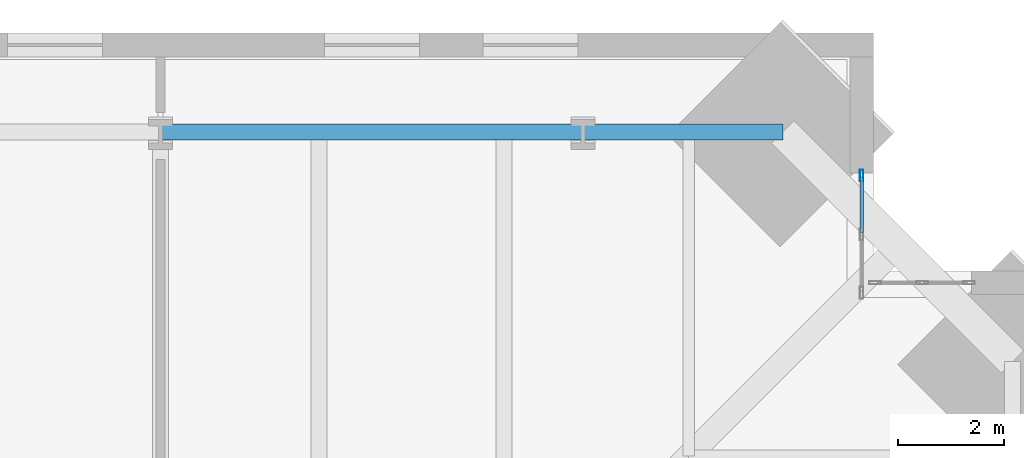
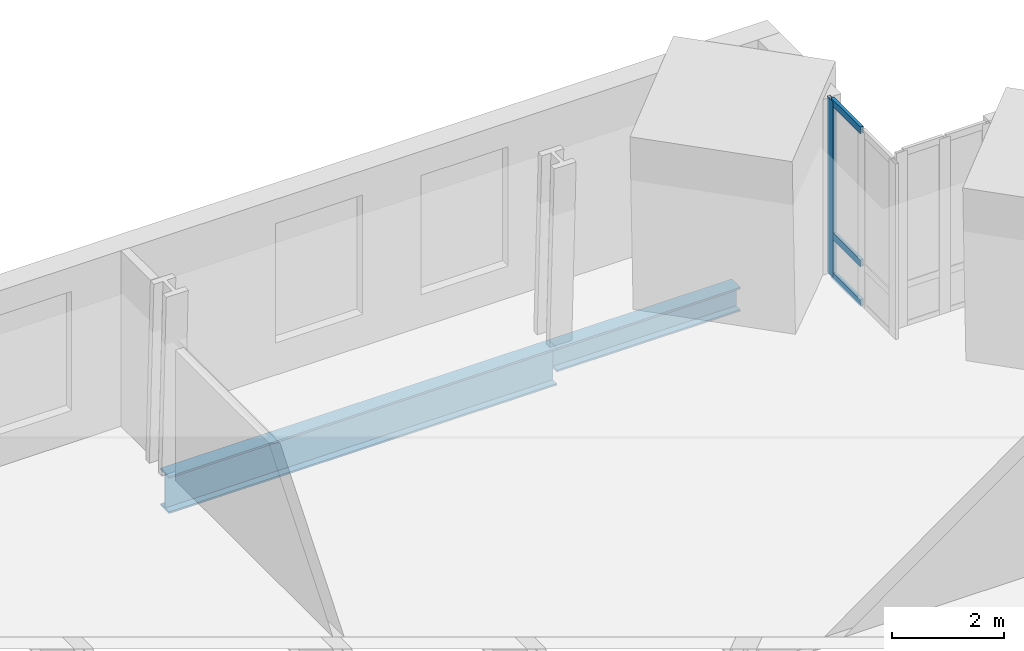
# One storey, part 11 of 18: 4 members, 2 beams, 1 element without a shape of its own.
"""IFC4 building model written with IfcOpenShell, lengths in metres."""

from ifc_helpers import new_model, si_unit, direction, frame, origin, origin_2d, place, context, subcontext, project, spatial, hollow_rectangle, i_section, extrude, material, material_profile, profile_set, type_object, element, aggregate, save


model = new_model("IFC4")

# Units and contexts
model_context = context("Model", 3, precision=1e-05, world=origin(), true_north=direction((0.0, 1.0)))
body_context = subcontext(model_context, "Body", "Model", "MODEL_VIEW")
ifc_project = project(units=[si_unit("LENGTHUNIT", "METRE"), si_unit("AREAUNIT", "SQUARE_METRE"), si_unit("VOLUMEUNIT", "CUBIC_METRE"), si_unit("PLANEANGLEUNIT", "RADIAN"), si_unit("MASSUNIT", "GRAM", prefix="KILO")], contexts=[model_context])

# Site, building, storey
site_placement = place(None, origin())
site = spatial("IfcSite", under=ifc_project, at=site_placement, CompositionType="ELEMENT")
building_placement = place(site_placement, origin())
building = spatial("IfcBuilding", under=site, at=building_placement, Name="Peilmerk Tower", CompositionType="ELEMENT")
storey_placement = place(building_placement, frame((0.0, 0.0, 167.800048828125)))
storey = spatial("IfcBuildingStorey", under=building, at=storey_placement, Name="L35", CompositionType="ELEMENT", Elevation=167.800048828125)

# Beams
ifc_material_1 = material(Name="Steel S355", Category="steel")
ifc_material_profile_1 = material_profile(ifc_material_1, i_section(OverallWidth=0.302978515625, OverallDepth=0.81396484375, WebThickness=0.02099609375, FlangeThickness=0.0400390625, at=origin_2d()), Name="HEM 800")
ifc_profile_set_1 = profile_set([ifc_material_profile_1], Name="Steel S355")
beam_type_1 = type_object("IfcBeamType", Name="B15 HEM 800 edge beam", PredefinedType="SPANDREL", material=ifc_profile_set_1)
beam_1_placement = place(storey_placement, frame((16.0, 24.130615234375, -0.5771484375), z_axis=(-1.0, 0.0, 0.0), x_axis=(0.0, -1.0, 0.0)))
element("IfcBeam", 1, at=beam_1_placement, inside=storey, type_object=beam_type_1, Name="Edge beam L35", PredefinedType="SPANDREL", context=body_context, shape_type="SweptSolid", body=[
    extrude(i_section(OverallWidth=0.302978515625, OverallDepth=0.81396484375, WebThickness=0.02099609375, FlangeThickness=0.0400390625, at=origin_2d()), origin(), (0.0, 0.0, 1.0), 8.0),
])
ifc_material_profile_2 = material_profile(ifc_material_1, i_section(OverallWidth=0.305908203125, OverallDepth=0.52392578125, WebThickness=0.02099609375, FlangeThickness=0.0400390625, at=origin_2d()), Name="HEM 500")
ifc_profile_set_2 = profile_set([ifc_material_profile_2], Name="Steel S355")
beam_type_2 = type_object("IfcBeamType", Name="B33 HEM 500 edge beam", PredefinedType="SPANDREL", material=ifc_profile_set_2)
beam_2_placement = place(storey_placement, frame((19.78076171875, 24.130615234375, -0.43212890625), z_axis=(-1.0, 0.0, 0.0), x_axis=(0.0, -1.0, 0.0)))
element("IfcBeam", 2, at=beam_2_placement, inside=storey, type_object=beam_type_2, Name="Edge beam L35", PredefinedType="SPANDREL", context=body_context, shape_type="SweptSolid", body=[
    extrude(i_section(OverallWidth=0.305908203125, OverallDepth=0.52392578125, WebThickness=0.02099609375, FlangeThickness=0.0400390625, at=origin_2d()), origin(), (0.0, 0.0, 1.0), 3.78076171875),
])

# Curtain wall, members
ifc_material_2 = material(Name="Aluminium stick curtain wall", Category="aluminium")
curtain_wall_type = type_object("IfcCurtainWallType", Name="CW3 stick curtain wall, 2250 module", PredefinedType="NOTDEFINED", material=ifc_material_2)
curtain_wall_placement = place(storey_placement, origin())
curtain_wall = element("IfcCurtainWall", 3, at=curtain_wall_placement, inside=storey, type_object=curtain_wall_type, Name="Curtain wall CW3 NEA L35", PredefinedType="NOTDEFINED")
ifc_material_3 = material(Name="Aluminium EN AW-6063 T6", Category="aluminium")
ifc_material_profile_3 = material_profile(ifc_material_3, hollow_rectangle(XDim=0.06494140625, YDim=0.22509765625, WallThickness=0.00390625, at=origin_2d()), Name="AL 225x65x4")
ifc_profile_set_3 = profile_set([ifc_material_profile_3], Name="Aluminium EN AW-6063 T6")
member_type_1 = type_object("IfcMemberType", Name="CW3-M AL 225x65x4 mullion", PredefinedType="MULLION", material=ifc_profile_set_3)
member_1_placement = place(storey_placement, frame((21.27490234375, 23.30615234375, 0.0), z_axis=(0.0, 0.0, 1.0), x_axis=(-1.0, 0.0, 0.0)))
member_1 = element("IfcMember", 4, at=member_1_placement, type_object=member_type_1, Name="CW3 mullion 3", PredefinedType="MULLION", context=body_context, shape_type="SweptSolid", body=[
    extrude(hollow_rectangle(XDim=0.06494140625, YDim=0.22509765625, WallThickness=0.00390625, at=origin_2d()), origin(), (0.0, 0.0, 1.0), 3.829833984375),
])
ifc_material_profile_4 = material_profile(ifc_material_3, hollow_rectangle(XDim=0.06494140625, YDim=0.14990234375, WallThickness=0.0029296875, at=origin_2d()), Name="AL 150x65x3")
ifc_profile_set_4 = profile_set([ifc_material_profile_4], Name="Aluminium EN AW-6063 T6")
member_type_2 = type_object("IfcMemberType", Name="CW3-T AL 150x65x3 transom", PredefinedType="USERDEFINED", material=ifc_profile_set_4)
member_2_placement = place(storey_placement, frame((21.27490234375, 22.226806640625, 0.032470703125), z_axis=(0.0, 1.0, 0.0), x_axis=(-1.0, 0.0, 0.0)))
member_2 = element("IfcMember", 5, at=member_2_placement, type_object=member_type_2, Name="CW3 transom 2.1", ObjectType="TRANSOM", PredefinedType="USERDEFINED", context=body_context, shape_type="SweptSolid", body=[
    extrude(hollow_rectangle(XDim=0.06494140625, YDim=0.14990234375, WallThickness=0.0029296875, at=origin_2d()), origin(), (0.0, 0.0, 1.0), 1.046875),
])
member_3_placement = place(storey_placement, frame((21.27490234375, 22.226806640625, 0.89990234375), z_axis=(0.0, 1.0, 0.0), x_axis=(-1.0, 0.0, 0.0)))
member_3 = element("IfcMember", 6, at=member_3_placement, type_object=member_type_2, Name="CW3 transom 2.2", ObjectType="TRANSOM", PredefinedType="USERDEFINED", context=body_context, shape_type="SweptSolid", body=[
    extrude(hollow_rectangle(XDim=0.06494140625, YDim=0.14990234375, WallThickness=0.0029296875, at=origin_2d()), origin(), (0.0, 0.0, 1.0), 1.046875),
])
member_4_placement = place(storey_placement, frame((21.27490234375, 22.226806640625, 3.79736328125), z_axis=(0.0, 1.0, 0.0), x_axis=(-1.0, 0.0, 0.0)))
member_4 = element("IfcMember", 7, at=member_4_placement, type_object=member_type_2, Name="CW3 transom 2.3", ObjectType="TRANSOM", PredefinedType="USERDEFINED", context=body_context, shape_type="SweptSolid", body=[
    extrude(hollow_rectangle(XDim=0.06494140625, YDim=0.14990234375, WallThickness=0.0029296875, at=origin_2d()), origin(), (0.0, 0.0, 1.0), 1.046875),
])
aggregate(curtain_wall, [member_1, member_2, member_3, member_4])

save(model, "model.ifc")
